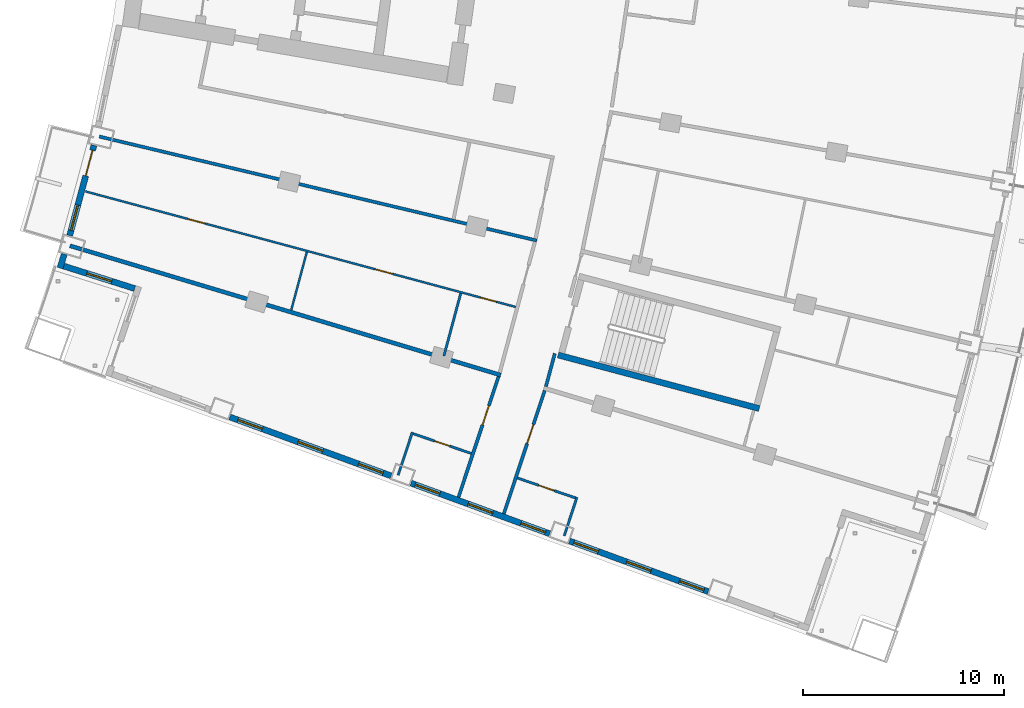
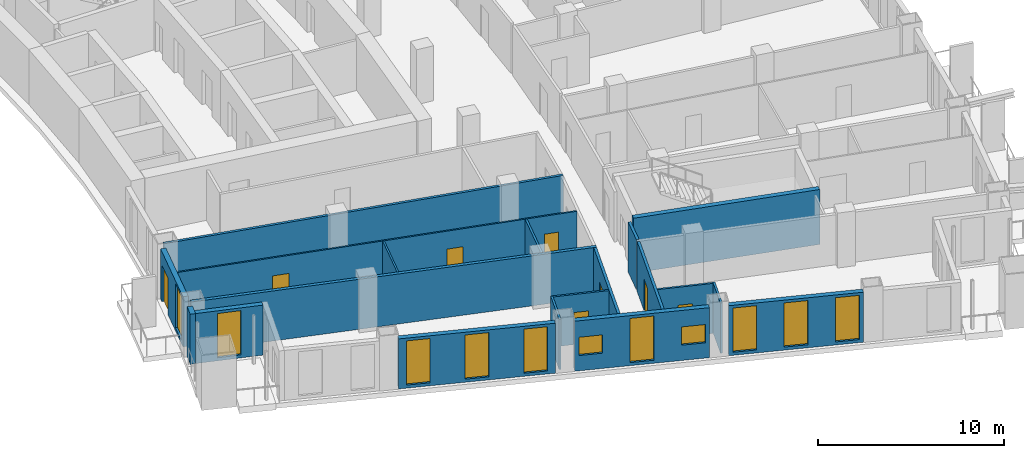
# One storey, part 13 of 25: 19 walls, 11 windows, 8 doors, 19 openings.
"""IFC4 building model written with IfcOpenShell, lengths in metres."""

from ifc_helpers import new_model, si_unit, direction, frame, frame_2d, origin, place, context, subcontext, project, spatial, rectangle, extrude, material, layer, layer_set, type_object, element, fill, save


model = new_model("IFC4")

# Units and contexts
model_context = context("Model", 3, precision=1e-05, world=origin(), true_north=direction((0.0, 1.0)))
body_context = subcontext(model_context, "Body", "Model", "MODEL_VIEW")
ifc_project = project(units=[si_unit("LENGTHUNIT", "METRE"), si_unit("AREAUNIT", "SQUARE_METRE"), si_unit("VOLUMEUNIT", "CUBIC_METRE"), si_unit("PLANEANGLEUNIT", "RADIAN"), si_unit("MASSUNIT", "GRAM", prefix="KILO")], contexts=[model_context])

# Site, building, storey
site_placement = place(None, origin())
site = spatial("IfcSite", under=ifc_project, at=site_placement, CompositionType="ELEMENT")
building_placement = place(site_placement, origin())
building = spatial("IfcBuilding", under=site, at=building_placement, Name="Alderwake Tower", CompositionType="ELEMENT")
storey_placement = place(building_placement, frame((0.0, 0.0, 107.60009765625)))
storey = spatial("IfcBuildingStorey", under=building, at=storey_placement, Name="L26", CompositionType="ELEMENT", Elevation=107.60009765625)

# Walls
ifc_material_1 = material(Name="Concrete C70/85", Category="concrete")
ifc_layer_1 = layer(ifc_material_1, 0.300048828125)
ifc_layer_set_1 = layer_set([ifc_layer_1], Name="Core wall stair enclosure 300 C70-85")
wall_type_1 = type_object("IfcWallType", Name="Core wall stair enclosure 300 C70-85", PredefinedType="SHEAR", material=ifc_layer_set_1)
wall_1_placement = place(storey_placement, frame((36.71142578125, 27.817626953125, 0.0), z_axis=(0.0, 0.0, 1.0), x_axis=(0.966309214305, -0.257383958996, 0.0)))
element("IfcWall", 1, at=wall_1_placement, inside=storey, type_object=wall_type_1, Name="Core wall CW.088", PredefinedType="SHEAR", context=body_context, shape_type="SweptSolid", body=[
    extrude(rectangle(XDim=10.360107421875, YDim=0.300048828125, at=frame_2d((5.18017578125, 0.0))), origin(), (0.0, 0.0, 1.0), 3.599853515625),
])
ifc_material_2 = material(Name="Gypsum board on metal studs, rated")
ifc_layer_2 = layer(ifc_material_2, 0.159912109375)
ifc_layer_set_2 = layer_set([ifc_layer_2], Name="Corridor wall 160")
wall_type_2 = type_object("IfcWallType", Name="Corridor wall 160", PredefinedType="PARTITIONING", material=ifc_layer_set_2)
wall_2_placement = place(storey_placement, frame((13.884033203125, 38.68798828125, 0.0), z_axis=(0.0, 0.0, 1.0), x_axis=(0.972893462073, -0.231253781493, 0.0)))
element("IfcWall", 2, at=wall_2_placement, inside=storey, type_object=wall_type_2, Name="WL/L26/W16", PredefinedType="PARTITIONING", context=body_context, shape_type="SweptSolid", body=[
    extrude(rectangle(XDim=22.38037109375, YDim=0.159912109375, at=frame_2d((11.190185546875, 0.0))), origin(), (0.0, 0.0, 1.0), 3.27978515625),
])

# Wall, opening, door
wall_3_placement = place(storey_placement, frame((31.7548828125, 20.739013671875, 0.0), z_axis=(0.0, 0.0, 1.0), x_axis=(0.31554473692, 0.948910701279, 0.0)))
wall_3 = element("IfcWall", 3, at=wall_3_placement, inside=storey, type_object=wall_type_2, Name="WL/L26/W22", PredefinedType="PARTITIONING", context=body_context, shape_type="SweptSolid", body=[
    extrude(rectangle(XDim=6.327392578125, YDim=0.159912109375, at=frame_2d((3.16357421875, 0.0))), origin(), (0.0, 0.0, 1.0), 3.27978515625),
])
opening_1_placement = place(wall_3_placement, frame((3.799072265625, 0.0, 0.0)))
opening_1 = element("IfcOpeningElement", 4, at=opening_1_placement, cuts=wall_3, Name="Opening R07-U10.1", PredefinedType="OPENING", context=body_context, shape_type="SweptSolid", body=[
    extrude(rectangle(XDim=1.0, YDim=2.10009765625, at=frame_2d((0.5, 1.050048828125))), frame((0.0, 0.08984375, 0.0), z_axis=(0.0, -1.0, 0.0), x_axis=(1.0, 0.0, 0.0)), (0.0, 0.0, 1.0), 0.179931640625),
])
ifc_material_3 = material(Name="Solid timber leaf in steel frame", Category="steel")
door_type_1 = type_object("IfcDoorType", Name="Flat entrance door 1000 fire-rated", OperationType="SINGLE_SWING_LEFT", PredefinedType="DOOR", material=ifc_material_3)
door_1_placement = place(opening_1_placement, origin())
door_1 = element("IfcDoor", 5, at=door_1_placement, inside=storey, type_object=door_type_1, Name="DR/L26/U10.1", OperationType="SINGLE_SWING_LEFT", OverallHeight=2.10009765625, OverallWidth=1.0, PredefinedType="DOOR", context=body_context, shape_type="SweptSolid", body=[
    extrude(rectangle(XDim=1.0, YDim=2.10009765625, at=frame_2d((0.5, 1.050048828125))), frame((0.0, 0.02490234375, 0.0), z_axis=(0.0, -1.0, 0.0), x_axis=(1.0, 0.0, 0.0)), (0.0, 0.0, 1.0), 0.050048828125),
])
fill(opening_1, door_1)

wall_4_placement = place(storey_placement, frame((36.049560546875, 26.052978515625, 0.0), z_axis=(0.0, 0.0, 1.0), x_axis=(-0.315151894598, -0.949041244273, 0.0)))
wall_4 = element("IfcWall", 6, at=wall_4_placement, inside=storey, type_object=wall_type_2, Name="WL/L26/W25", PredefinedType="PARTITIONING", context=body_context, shape_type="SweptSolid", body=[
    extrude(rectangle(XDim=6.468505859375, YDim=0.159912109375, at=frame_2d((3.234375, 0.0))), origin(), (0.0, 0.0, 1.0), 3.27978515625),
])
opening_2_placement = place(wall_4_placement, frame((1.7822265625, 0.0, 0.0)))
opening_2 = element("IfcOpeningElement", 7, at=opening_2_placement, cuts=wall_4, Name="Opening R07-U03.1", PredefinedType="OPENING", context=body_context, shape_type="SweptSolid", body=[
    extrude(rectangle(XDim=1.0, YDim=2.10009765625, at=frame_2d((0.5, 1.050048828125))), frame((0.0, 0.08984375, 0.0), z_axis=(0.0, -1.0, 0.0), x_axis=(1.0, 0.0, 0.0)), (0.0, 0.0, 1.0), 0.179931640625),
])
door_2_placement = place(opening_2_placement, origin())
door_2 = element("IfcDoor", 8, at=door_2_placement, inside=storey, type_object=door_type_1, Name="DR/L26/U03.1", OperationType="SINGLE_SWING_LEFT", OverallHeight=2.10009765625, OverallWidth=1.0, PredefinedType="DOOR", context=body_context, shape_type="SweptSolid", body=[
    extrude(rectangle(XDim=1.0, YDim=2.10009765625, at=frame_2d((0.5, 1.050048828125))), frame((0.0, 0.02490234375, 0.0), z_axis=(0.0, -1.0, 0.0), x_axis=(1.0, 0.0, 0.0)), (0.0, 0.0, 1.0), 0.050048828125),
])
fill(opening_2, door_2)

# Walls
wall_5_placement = place(storey_placement, frame((36.10693359375, 26.24462890625, 0.0), z_axis=(0.0, 0.0, 1.0), x_axis=(0.259346865847, 0.965784242559, 0.0)))
element("IfcWall", 9, at=wall_5_placement, inside=storey, type_object=wall_type_2, Name="WL/L26/W27", PredefinedType="PARTITIONING", context=body_context, shape_type="SweptSolid", body=[
    extrude(rectangle(XDim=1.704833984375, YDim=0.159912109375, at=frame_2d((0.8525390625, 0.0))), origin(), (0.0, 0.0, 1.0), 3.27978515625),
])
ifc_material_4 = material(Name="Precast concrete C50/60 spandrel panel", Category="concrete")
ifc_layer_3 = layer(ifc_material_4, 0.300048828125)
ifc_layer_set_3 = layer_set([ifc_layer_3], Name="External wall EW1 Precast concrete C50/60 spandrel")
wall_type_3 = type_object("IfcWallType", Name="External wall EW1 Precast concrete C50/60 spandrel", PredefinedType="SOLIDWALL", material=ifc_layer_set_3)
wall_6_placement = place(storey_placement, frame((12.14013671875, 32.83837890625, 0.0), z_axis=(0.0, 0.0, 1.0), x_axis=(-0.294604532955, -0.955619259518, 0.0)))
element("IfcWall", 10, at=wall_6_placement, inside=storey, type_object=wall_type_3, Name="External wall 1", PredefinedType="SOLIDWALL", context=body_context, shape_type="SweptSolid", body=[
    extrude(rectangle(XDim=0.7275390625, YDim=0.300048828125, at=frame_2d((0.36376953125, 0.0))), origin(), (0.0, 0.0, 1.0), 3.27978515625),
])

# Wall, openings, door, window
wall_7_placement = place(storey_placement, frame((13.61328125, 38.254150390625, 0.0), z_axis=(0.0, 0.0, 1.0), x_axis=(-0.259468933642, -0.965751454814, 0.0)))
wall_7 = element("IfcWall", 11, at=wall_7_placement, inside=storey, type_object=wall_type_3, Name="External wall 36", PredefinedType="SOLIDWALL", context=body_context, shape_type="SweptSolid", body=[
    extrude(rectangle(XDim=4.65087890625, YDim=0.300048828125, at=frame_2d((2.325439453125, 0.0))), origin(), (0.0, 0.0, 1.0), 3.27978515625),
])
opening_3_placement = place(wall_7_placement, frame((0.26708984375, 0.0, 0.0)))
opening_3 = element("IfcOpeningElement", 12, at=opening_3_placement, cuts=wall_7, Name="Opening D15", PredefinedType="OPENING", context=body_context, shape_type="SweptSolid", body=[
    extrude(rectangle(XDim=1.300048828125, YDim=2.39990234375, at=frame_2d((0.64990234375, 1.199951171875))), frame((0.0, 0.159912109375, 0.0), z_axis=(0.0, -1.0, 0.0), x_axis=(1.0, 0.0, 0.0)), (0.0, 0.0, 1.0), 0.320068359375),
])
opening_4_placement = place(wall_7_placement, frame((3.083984375, 0.0, 0.199951171875)))
opening_4 = element("IfcOpeningElement", 13, at=opening_4_placement, cuts=wall_7, Name="Opening W1", PredefinedType="OPENING", context=body_context, shape_type="SweptSolid", body=[
    extrude(rectangle(XDim=1.300048828125, YDim=2.89990234375, at=frame_2d((0.64990234375, 1.449951171875))), frame((0.0, 0.159912109375, 0.0), z_axis=(0.0, -1.0, 0.0), x_axis=(1.0, 0.0, 0.0)), (0.0, 0.0, 1.0), 0.320068359375),
])
ifc_material_5 = material(Name="Bronze tinted glass in aluminium frame", Category="aluminium")
door_type_2 = type_object("IfcDoorType", Name="Balcony door BD sliding", OperationType="SLIDING_TO_LEFT", PredefinedType="DOOR", material=ifc_material_5)
door_3_placement = place(opening_3_placement, origin())
door_3 = element("IfcDoor", 14, at=door_3_placement, inside=storey, type_object=door_type_2, Name="Door D15", OperationType="SLIDING_TO_LEFT", OverallHeight=2.39990234375, OverallWidth=1.300048828125, PredefinedType="DOOR", context=body_context, shape_type="SweptSolid", body=[
    extrude(rectangle(XDim=1.300048828125, YDim=2.39990234375, at=frame_2d((0.64990234375, 1.199951171875))), frame((0.0, 0.02490234375, 0.0), z_axis=(0.0, -1.0, 0.0), x_axis=(1.0, 0.0, 0.0)), (0.0, 0.0, 1.0), 0.050048828125),
])
fill(opening_3, door_3)
ifc_material_6 = material(Name="Bronze tinted glass in aluminium frame", Category="aluminium")
window_type_1 = type_object("IfcWindowType", Name="Window W1 tall fixed and vent", PartitioningType="DOUBLE_PANEL_VERTICAL", PredefinedType="WINDOW", material=ifc_material_6)
window_1_placement = place(opening_4_placement, origin())
window_1 = element("IfcWindow", 15, at=window_1_placement, inside=storey, type_object=window_type_1, Name="Window W1 tall fixed and vent", OverallHeight=2.89990234375, OverallWidth=1.300048828125, PartitioningType="DOUBLE_PANEL_VERTICAL", PredefinedType="WINDOW", context=body_context, shape_type="SweptSolid", body=[
    extrude(rectangle(XDim=1.300048828125, YDim=2.89990234375, at=frame_2d((0.64990234375, 1.449951171875))), frame((0.0, 0.030029296875, 0.0), z_axis=(0.0, -1.0, 0.0), x_axis=(1.0, 0.0, 0.0)), (0.0, 0.0, 1.0), 0.06005859375),
])
fill(opening_4, window_1)

# Wall, opening, window
ifc_material_7 = material(Name="Bronze metal cladding on lightweight framing")
ifc_layer_4 = layer(ifc_material_7, 0.300048828125)
ifc_layer_set_4 = layer_set([ifc_layer_4], Name="External wall EW2 bronze metal cladding")
wall_type_4 = type_object("IfcWallType", Name="External wall EW2 bronze metal cladding", PredefinedType="SOLIDWALL", material=ifc_layer_set_4)
wall_8_placement = place(storey_placement, frame((12.113037109375, 32.2412109375, 0.0), z_axis=(0.0, 0.0, 1.0), x_axis=(0.953458128271, -0.301525451054, 0.0)))
wall_8 = element("IfcWall", 16, at=wall_8_placement, inside=storey, type_object=wall_type_4, Name="External wall 2", PredefinedType="SOLIDWALL", context=body_context, shape_type="SweptSolid", body=[
    extrude(rectangle(XDim=3.705810546875, YDim=0.300048828125, at=frame_2d((1.85302734375, 0.0))), origin(), (0.0, 0.0, 1.0), 3.27978515625),
])
opening_5_placement = place(wall_8_placement, frame((1.202880859375, 0.0, 0.199951171875)))
opening_5 = element("IfcOpeningElement", 17, at=opening_5_placement, cuts=wall_8, Name="Opening W1", PredefinedType="OPENING", context=body_context, shape_type="SweptSolid", body=[
    extrude(rectangle(XDim=1.300048828125, YDim=2.89990234375, at=frame_2d((0.64990234375, 1.449951171875))), frame((0.0, 0.159912109375, 0.0), z_axis=(0.0, -1.0, 0.0), x_axis=(1.0, 0.0, 0.0)), (0.0, 0.0, 1.0), 0.320068359375),
])
window_2_placement = place(opening_5_placement, origin())
window_2 = element("IfcWindow", 18, at=window_2_placement, inside=storey, type_object=window_type_1, Name="Window W1 tall fixed and vent", OverallHeight=2.89990234375, OverallWidth=1.300048828125, PartitioningType="DOUBLE_PANEL_VERTICAL", PredefinedType="WINDOW", context=body_context, shape_type="SweptSolid", body=[
    extrude(rectangle(XDim=1.300048828125, YDim=2.89990234375, at=frame_2d((0.64990234375, 1.449951171875))), frame((0.0, 0.030029296875, 0.0), z_axis=(0.0, -1.0, 0.0), x_axis=(1.0, 0.0, 0.0)), (0.0, 0.0, 1.0), 0.06005859375),
])
fill(opening_5, window_2)

# Wall, openings, windows
wall_9_placement = place(storey_placement, frame((20.375244140625, 24.73291015625, 0.0), z_axis=(0.0, 0.0, 1.0), x_axis=(0.939364770023, -0.342919566137, 0.0)))
wall_9 = element("IfcWall", 19, at=wall_9_placement, inside=storey, type_object=wall_type_4, Name="External wall 5", PredefinedType="SOLIDWALL", context=body_context, shape_type="SweptSolid", body=[
    extrude(rectangle(XDim=8.54541015625, YDim=0.300048828125, at=frame_2d((4.272705078125, 0.0))), origin(), (0.0, 0.0, 1.0), 3.27978515625),
])
opening_6_placement = place(wall_9_placement, frame((0.422607421875, 0.0, 0.199951171875)))
opening_6 = element("IfcOpeningElement", 20, at=opening_6_placement, cuts=wall_9, Name="Opening W1", PredefinedType="OPENING", context=body_context, shape_type="SweptSolid", body=[
    extrude(rectangle(XDim=1.300048828125, YDim=2.89990234375, at=frame_2d((0.64990234375, 1.449951171875))), frame((0.0, 0.159912109375, 0.0), z_axis=(0.0, -1.0, 0.0), x_axis=(1.0, 0.0, 0.0)), (0.0, 0.0, 1.0), 0.320068359375),
])
opening_7_placement = place(wall_9_placement, frame((3.622802734375, 0.0, 0.199951171875)))
opening_7 = element("IfcOpeningElement", 21, at=opening_7_placement, cuts=wall_9, Name="Opening W1", PredefinedType="OPENING", context=body_context, shape_type="SweptSolid", body=[
    extrude(rectangle(XDim=1.300048828125, YDim=2.89990234375, at=frame_2d((0.64990234375, 1.449951171875))), frame((0.0, 0.159912109375, 0.0), z_axis=(0.0, -1.0, 0.0), x_axis=(1.0, 0.0, 0.0)), (0.0, 0.0, 1.0), 0.320068359375),
])
opening_8_placement = place(wall_9_placement, frame((6.82275390625, 0.0, 0.199951171875)))
opening_8 = element("IfcOpeningElement", 22, at=opening_8_placement, cuts=wall_9, Name="Opening W1", PredefinedType="OPENING", context=body_context, shape_type="SweptSolid", body=[
    extrude(rectangle(XDim=1.300048828125, YDim=2.89990234375, at=frame_2d((0.64990234375, 1.449951171875))), frame((0.0, 0.159912109375, 0.0), z_axis=(0.0, -1.0, 0.0), x_axis=(1.0, 0.0, 0.0)), (0.0, 0.0, 1.0), 0.320068359375),
])
window_3_placement = place(opening_6_placement, origin())
window_3 = element("IfcWindow", 23, at=window_3_placement, inside=storey, type_object=window_type_1, Name="Window W1 tall fixed and vent", OverallHeight=2.89990234375, OverallWidth=1.300048828125, PartitioningType="DOUBLE_PANEL_VERTICAL", PredefinedType="WINDOW", context=body_context, shape_type="SweptSolid", body=[
    extrude(rectangle(XDim=1.300048828125, YDim=2.89990234375, at=frame_2d((0.64990234375, 1.449951171875))), frame((0.0, 0.030029296875, 0.0), z_axis=(0.0, -1.0, 0.0), x_axis=(1.0, 0.0, 0.0)), (0.0, 0.0, 1.0), 0.06005859375),
])
fill(opening_6, window_3)
window_4_placement = place(opening_7_placement, origin())
window_4 = element("IfcWindow", 24, at=window_4_placement, inside=storey, type_object=window_type_1, Name="Window W1 tall fixed and vent", OverallHeight=2.89990234375, OverallWidth=1.300048828125, PartitioningType="DOUBLE_PANEL_VERTICAL", PredefinedType="WINDOW", context=body_context, shape_type="SweptSolid", body=[
    extrude(rectangle(XDim=1.300048828125, YDim=2.89990234375, at=frame_2d((0.64990234375, 1.449951171875))), frame((0.0, 0.030029296875, 0.0), z_axis=(0.0, -1.0, 0.0), x_axis=(1.0, 0.0, 0.0)), (0.0, 0.0, 1.0), 0.06005859375),
])
fill(opening_7, window_4)
window_5_placement = place(opening_8_placement, origin())
window_5 = element("IfcWindow", 25, at=window_5_placement, inside=storey, type_object=window_type_1, Name="Window W1 tall fixed and vent", OverallHeight=2.89990234375, OverallWidth=1.300048828125, PartitioningType="DOUBLE_PANEL_VERTICAL", PredefinedType="WINDOW", context=body_context, shape_type="SweptSolid", body=[
    extrude(rectangle(XDim=1.300048828125, YDim=2.89990234375, at=frame_2d((0.64990234375, 1.449951171875))), frame((0.0, 0.030029296875, 0.0), z_axis=(0.0, -1.0, 0.0), x_axis=(1.0, 0.0, 0.0)), (0.0, 0.0, 1.0), 0.06005859375),
])
fill(opening_8, window_5)

wall_10_placement = place(storey_placement, frame((29.39306640625, 21.44091796875, 0.0), z_axis=(0.0, 0.0, 1.0), x_axis=(0.939378390818, -0.342882252187, 0.0)))
wall_10 = element("IfcWall", 26, at=wall_10_placement, inside=storey, type_object=wall_type_4, Name="External wall 6", PredefinedType="SOLIDWALL", context=body_context, shape_type="SweptSolid", body=[
    extrude(rectangle(XDim=7.345947265625, YDim=0.300048828125, at=frame_2d((3.6728515625, 0.0))), origin(), (0.0, 0.0, 1.0), 3.27978515625),
])
opening_9_placement = place(wall_10_placement, frame((0.222900390625, 0.0, 1.0)))
opening_9 = element("IfcOpeningElement", 27, at=opening_9_placement, cuts=wall_10, Name="Opening W2", PredefinedType="OPENING", context=body_context, shape_type="SweptSolid", body=[
    extrude(rectangle(XDim=1.300048828125, YDim=1.199951171875, at=frame_2d((0.64990234375, 0.60009765625))), frame((0.0, 0.159912109375, 0.0), z_axis=(0.0, -1.0, 0.0), x_axis=(1.0, 0.0, 0.0)), (0.0, 0.0, 1.0), 0.320068359375),
])
opening_10_placement = place(wall_10_placement, frame((3.02294921875, 0.0, 0.199951171875)))
opening_10 = element("IfcOpeningElement", 28, at=opening_10_placement, cuts=wall_10, Name="Opening W1", PredefinedType="OPENING", context=body_context, shape_type="SweptSolid", body=[
    extrude(rectangle(XDim=1.300048828125, YDim=2.89990234375, at=frame_2d((0.64990234375, 1.449951171875))), frame((0.0, 0.159912109375, 0.0), z_axis=(0.0, -1.0, 0.0), x_axis=(1.0, 0.0, 0.0)), (0.0, 0.0, 1.0), 0.320068359375),
])
opening_11_placement = place(wall_10_placement, frame((5.822998046875, 0.0, 1.0)))
opening_11 = element("IfcOpeningElement", 29, at=opening_11_placement, cuts=wall_10, Name="Opening W2", PredefinedType="OPENING", context=body_context, shape_type="SweptSolid", body=[
    extrude(rectangle(XDim=1.300048828125, YDim=1.199951171875, at=frame_2d((0.64990234375, 0.60009765625))), frame((0.0, 0.159912109375, 0.0), z_axis=(0.0, -1.0, 0.0), x_axis=(1.0, 0.0, 0.0)), (0.0, 0.0, 1.0), 0.320068359375),
])
window_6_placement = place(opening_10_placement, origin())
window_6 = element("IfcWindow", 30, at=window_6_placement, inside=storey, type_object=window_type_1, Name="Window W1 tall fixed and vent", OverallHeight=2.89990234375, OverallWidth=1.300048828125, PartitioningType="DOUBLE_PANEL_VERTICAL", PredefinedType="WINDOW", context=body_context, shape_type="SweptSolid", body=[
    extrude(rectangle(XDim=1.300048828125, YDim=2.89990234375, at=frame_2d((0.64990234375, 1.449951171875))), frame((0.0, 0.030029296875, 0.0), z_axis=(0.0, -1.0, 0.0), x_axis=(1.0, 0.0, 0.0)), (0.0, 0.0, 1.0), 0.06005859375),
])
fill(opening_10, window_6)
ifc_material_8 = material(Name="Bronze tinted glass in aluminium frame", Category="aluminium")
window_type_2 = type_object("IfcWindowType", Name="Window W2 kitchen and bath", PartitioningType="SINGLE_PANEL", PredefinedType="WINDOW", material=ifc_material_8)
window_7_placement = place(opening_9_placement, origin())
window_7 = element("IfcWindow", 31, at=window_7_placement, inside=storey, type_object=window_type_2, Name="Window W2 kitchen and bath", OverallHeight=1.199951171875, OverallWidth=1.300048828125, PartitioningType="SINGLE_PANEL", PredefinedType="WINDOW", context=body_context, shape_type="SweptSolid", body=[
    extrude(rectangle(XDim=1.300048828125, YDim=1.199951171875, at=frame_2d((0.64990234375, 0.60009765625))), frame((0.0, 0.030029296875, 0.0), z_axis=(0.0, -1.0, 0.0), x_axis=(1.0, 0.0, 0.0)), (0.0, 0.0, 1.0), 0.06005859375),
])
fill(opening_9, window_7)
window_8_placement = place(opening_11_placement, origin())
window_8 = element("IfcWindow", 32, at=window_8_placement, inside=storey, type_object=window_type_2, Name="Window W2 kitchen and bath", OverallHeight=1.199951171875, OverallWidth=1.300048828125, PartitioningType="SINGLE_PANEL", PredefinedType="WINDOW", context=body_context, shape_type="SweptSolid", body=[
    extrude(rectangle(XDim=1.300048828125, YDim=1.199951171875, at=frame_2d((0.64990234375, 0.60009765625))), frame((0.0, 0.030029296875, 0.0), z_axis=(0.0, -1.0, 0.0), x_axis=(1.0, 0.0, 0.0)), (0.0, 0.0, 1.0), 0.06005859375),
])
fill(opening_11, window_8)

wall_11_placement = place(storey_placement, frame((37.283935546875, 18.560546875, 0.0), z_axis=(0.0, 0.0, 1.0), x_axis=(0.939378390818, -0.342882252187, 0.0)))
wall_11 = element("IfcWall", 33, at=wall_11_placement, inside=storey, type_object=wall_type_4, Name="External wall 7", PredefinedType="SOLIDWALL", context=body_context, shape_type="SweptSolid", body=[
    extrude(rectangle(XDim=7.345947265625, YDim=0.300048828125, at=frame_2d((3.6728515625, 0.0))), origin(), (0.0, 0.0, 1.0), 3.27978515625),
])
opening_12_placement = place(wall_11_placement, frame((0.222900390625, 0.0, 0.199951171875)))
opening_12 = element("IfcOpeningElement", 34, at=opening_12_placement, cuts=wall_11, Name="Opening W1", PredefinedType="OPENING", context=body_context, shape_type="SweptSolid", body=[
    extrude(rectangle(XDim=1.300048828125, YDim=2.89990234375, at=frame_2d((0.64990234375, 1.449951171875))), frame((0.0, 0.159912109375, 0.0), z_axis=(0.0, -1.0, 0.0), x_axis=(1.0, 0.0, 0.0)), (0.0, 0.0, 1.0), 0.320068359375),
])
opening_13_placement = place(wall_11_placement, frame((3.02294921875, 0.0, 0.199951171875)))
opening_13 = element("IfcOpeningElement", 35, at=opening_13_placement, cuts=wall_11, Name="Opening W1", PredefinedType="OPENING", context=body_context, shape_type="SweptSolid", body=[
    extrude(rectangle(XDim=1.300048828125, YDim=2.89990234375, at=frame_2d((0.64990234375, 1.449951171875))), frame((0.0, 0.159912109375, 0.0), z_axis=(0.0, -1.0, 0.0), x_axis=(1.0, 0.0, 0.0)), (0.0, 0.0, 1.0), 0.320068359375),
])
opening_14_placement = place(wall_11_placement, frame((5.822998046875, 0.0, 0.199951171875)))
opening_14 = element("IfcOpeningElement", 36, at=opening_14_placement, cuts=wall_11, Name="Opening W1", PredefinedType="OPENING", context=body_context, shape_type="SweptSolid", body=[
    extrude(rectangle(XDim=1.300048828125, YDim=2.89990234375, at=frame_2d((0.64990234375, 1.449951171875))), frame((0.0, 0.159912109375, 0.0), z_axis=(0.0, -1.0, 0.0), x_axis=(1.0, 0.0, 0.0)), (0.0, 0.0, 1.0), 0.320068359375),
])
window_9_placement = place(opening_12_placement, origin())
window_9 = element("IfcWindow", 37, at=window_9_placement, inside=storey, type_object=window_type_1, Name="Window W1 tall fixed and vent", OverallHeight=2.89990234375, OverallWidth=1.300048828125, PartitioningType="DOUBLE_PANEL_VERTICAL", PredefinedType="WINDOW", context=body_context, shape_type="SweptSolid", body=[
    extrude(rectangle(XDim=1.300048828125, YDim=2.89990234375, at=frame_2d((0.64990234375, 1.449951171875))), frame((0.0, 0.030029296875, 0.0), z_axis=(0.0, -1.0, 0.0), x_axis=(1.0, 0.0, 0.0)), (0.0, 0.0, 1.0), 0.06005859375),
])
fill(opening_12, window_9)
window_10_placement = place(opening_13_placement, origin())
window_10 = element("IfcWindow", 38, at=window_10_placement, inside=storey, type_object=window_type_1, Name="Window W1 tall fixed and vent", OverallHeight=2.89990234375, OverallWidth=1.300048828125, PartitioningType="DOUBLE_PANEL_VERTICAL", PredefinedType="WINDOW", context=body_context, shape_type="SweptSolid", body=[
    extrude(rectangle(XDim=1.300048828125, YDim=2.89990234375, at=frame_2d((0.64990234375, 1.449951171875))), frame((0.0, 0.030029296875, 0.0), z_axis=(0.0, -1.0, 0.0), x_axis=(1.0, 0.0, 0.0)), (0.0, 0.0, 1.0), 0.06005859375),
])
fill(opening_13, window_10)
window_11_placement = place(opening_14_placement, origin())
window_11 = element("IfcWindow", 39, at=window_11_placement, inside=storey, type_object=window_type_1, Name="Window W1 tall fixed and vent", OverallHeight=2.89990234375, OverallWidth=1.300048828125, PartitioningType="DOUBLE_PANEL_VERTICAL", PredefinedType="WINDOW", context=body_context, shape_type="SweptSolid", body=[
    extrude(rectangle(XDim=1.300048828125, YDim=2.89990234375, at=frame_2d((0.64990234375, 1.449951171875))), frame((0.0, 0.030029296875, 0.0), z_axis=(0.0, -1.0, 0.0), x_axis=(1.0, 0.0, 0.0)), (0.0, 0.0, 1.0), 0.06005859375),
])
fill(opening_14, window_11)

# Wall
ifc_material_9 = material(Name="Dense block masonry wall", Category="masonry")
ifc_layer_5 = layer(ifc_material_9, 0.199951171875)
ifc_layer_set_5 = layer_set([ifc_layer_5], Name="Party wall 200")
wall_type_5 = type_object("IfcWallType", Name="Party wall 200", PredefinedType="SOLIDWALL", material=ifc_layer_set_5)
wall_12_placement = place(storey_placement, frame((33.859619140625, 26.81494140625, 0.0), z_axis=(0.0, 0.0, 1.0), x_axis=(-0.95775179957, 0.287596054251, 0.0)))
element("IfcWall", 40, at=wall_12_placement, inside=storey, type_object=wall_type_5, Name="WL/L26/W03", PredefinedType="SOLIDWALL", context=body_context, shape_type="SweptSolid", body=[
    extrude(rectangle(XDim=22.382080078125, YDim=0.199951171875, at=frame_2d((11.19091796875, 0.0))), origin(), (0.0, 0.0, 1.0), 3.27978515625),
])

# Wall, openings, doors
ifc_material_10 = material(Name="Gypsum board on metal studs")
ifc_layer_6 = layer(ifc_material_10, 0.10009765625)
ifc_layer_set_6 = layer_set([ifc_layer_6], Name="Unit partition 100")
wall_type_6 = type_object("IfcWallType", Name="Unit partition 100", PredefinedType="PARTITIONING", material=ifc_layer_set_6)
wall_13_placement = place(storey_placement, frame((34.605712890625, 30.206787109375, 0.0), z_axis=(0.0, 0.0, 1.0), x_axis=(-0.965767846078, 0.259407917152, 0.0)))
wall_13 = element("IfcWall", 41, at=wall_13_placement, inside=storey, type_object=wall_type_6, Name="WL/L26/W67", PredefinedType="PARTITIONING", context=body_context, shape_type="SweptSolid", body=[
    extrude(rectangle(XDim=22.170654296875, YDim=0.10009765625, at=frame_2d((11.08544921875, 0.0))), origin(), (0.0, 0.0, 1.0), 3.27978515625),
])
opening_15_placement = place(wall_13_placement, frame((6.335205078125, 0.0, 0.0)))
opening_15 = element("IfcOpeningElement", 42, at=opening_15_placement, cuts=wall_13, Name="Opening R07-U11.1", PredefinedType="OPENING", context=body_context, shape_type="SweptSolid", body=[
    extrude(rectangle(XDim=0.89990234375, YDim=2.10009765625, at=frame_2d((0.449951171875, 1.050048828125))), frame((0.0, 0.06005859375, 0.0), z_axis=(0.0, -1.0, 0.0), x_axis=(1.0, 0.0, 0.0)), (0.0, 0.0, 1.0), 0.1201171875),
])
opening_16_placement = place(wall_13_placement, frame((1.010009765625, 0.0, 0.0)))
opening_16 = element("IfcOpeningElement", 43, at=opening_16_placement, cuts=wall_13, Name="Opening R07-U11.3", PredefinedType="OPENING", context=body_context, shape_type="SweptSolid", body=[
    extrude(rectangle(XDim=0.800048828125, YDim=2.10009765625, at=frame_2d((0.39990234375, 1.050048828125))), frame((0.0, 0.06005859375, 0.0), z_axis=(0.0, -1.0, 0.0), x_axis=(1.0, 0.0, 0.0)), (0.0, 0.0, 1.0), 0.1201171875),
])
opening_17_placement = place(wall_13_placement, frame((16.010498046875, 0.0, 0.0)))
opening_17 = element("IfcOpeningElement", 44, at=opening_17_placement, cuts=wall_13, Name="Opening R07-U11.4", PredefinedType="OPENING", context=body_context, shape_type="SweptSolid", body=[
    extrude(rectangle(XDim=0.89990234375, YDim=2.10009765625, at=frame_2d((0.449951171875, 1.050048828125))), frame((0.0, 0.06005859375, 0.0), z_axis=(0.0, -1.0, 0.0), x_axis=(1.0, 0.0, 0.0)), (0.0, 0.0, 1.0), 0.1201171875),
])
ifc_material_11 = material(Name="Painted timber leaf", Category="wood")
door_type_3 = type_object("IfcDoorType", Name="Bathroom door 800", OperationType="SINGLE_SWING_LEFT", PredefinedType="DOOR", material=ifc_material_11)
door_4_placement = place(opening_16_placement, origin())
door_4 = element("IfcDoor", 45, at=door_4_placement, inside=storey, type_object=door_type_3, Name="DR/L26/U11.3", OperationType="SINGLE_SWING_LEFT", OverallHeight=2.10009765625, OverallWidth=0.800048828125, PredefinedType="DOOR", context=body_context, shape_type="SweptSolid", body=[
    extrude(rectangle(XDim=0.800048828125, YDim=2.10009765625, at=frame_2d((0.39990234375, 1.050048828125))), frame((0.0, 0.02490234375, 0.0), z_axis=(0.0, -1.0, 0.0), x_axis=(1.0, 0.0, 0.0)), (0.0, 0.0, 1.0), 0.050048828125),
])
fill(opening_16, door_4)
ifc_material_12 = material(Name="Painted timber leaf", Category="wood")
door_type_4 = type_object("IfcDoorType", Name="Room door 900", OperationType="SINGLE_SWING_LEFT", PredefinedType="DOOR", material=ifc_material_12)
door_5_placement = place(opening_15_placement, origin())
door_5 = element("IfcDoor", 46, at=door_5_placement, inside=storey, type_object=door_type_4, Name="DR/L26/U11.1", OperationType="SINGLE_SWING_LEFT", OverallHeight=2.10009765625, OverallWidth=0.89990234375, PredefinedType="DOOR", context=body_context, shape_type="SweptSolid", body=[
    extrude(rectangle(XDim=0.89990234375, YDim=2.10009765625, at=frame_2d((0.449951171875, 1.050048828125))), frame((0.0, 0.02490234375, 0.0), z_axis=(0.0, -1.0, 0.0), x_axis=(1.0, 0.0, 0.0)), (0.0, 0.0, 1.0), 0.050048828125),
])
fill(opening_15, door_5)
door_6_placement = place(opening_17_placement, origin())
door_6 = element("IfcDoor", 47, at=door_6_placement, inside=storey, type_object=door_type_4, Name="DR/L26/U11.4", OperationType="SINGLE_SWING_LEFT", OverallHeight=2.10009765625, OverallWidth=0.89990234375, PredefinedType="DOOR", context=body_context, shape_type="SweptSolid", body=[
    extrude(rectangle(XDim=0.89990234375, YDim=2.10009765625, at=frame_2d((0.449951171875, 1.050048828125))), frame((0.0, 0.02490234375, 0.0), z_axis=(0.0, -1.0, 0.0), x_axis=(1.0, 0.0, 0.0)), (0.0, 0.0, 1.0), 0.050048828125),
])
fill(opening_17, door_6)

# Walls
wall_14_placement = place(storey_placement, frame((24.208984375, 32.94580078125, 0.0), z_axis=(0.0, 0.0, 1.0), x_axis=(-0.259310212645, -0.965794084481, 0.0)))
element("IfcWall", 48, at=wall_14_placement, inside=storey, type_object=wall_type_6, Name="WL/L26/W70", PredefinedType="PARTITIONING", context=body_context, shape_type="SweptSolid", body=[
    extrude(rectangle(XDim=2.996826171875, YDim=0.10009765625, at=frame_2d((1.49853515625, 0.0))), origin(), (0.0, 0.0, 1.0), 3.27978515625),
])
ifc_material_13 = material(Name="Moisture resistant gypsum board on metal studs")
ifc_layer_7 = layer(ifc_material_13, 0.1201171875)
ifc_layer_set_7 = layer_set([ifc_layer_7], Name="Wet room partition 120")
wall_type_7 = type_object("IfcWallType", Name="Wet room partition 120", PredefinedType="PARTITIONING", material=ifc_layer_set_7)
wall_15_placement = place(storey_placement, frame((29.4609375, 23.975830078125, 0.0), z_axis=(0.0, 0.0, 1.0), x_axis=(-0.31580536125, -0.948823995168, 0.0)))
element("IfcWall", 49, at=wall_15_placement, inside=storey, type_object=wall_type_7, Name="WL/L26/W45", PredefinedType="PARTITIONING", context=body_context, shape_type="SweptSolid", body=[
    extrude(rectangle(XDim=2.25439453125, YDim=0.1201171875, at=frame_2d((1.127197265625, 0.0))), origin(), (0.0, 0.0, 1.0), 3.27978515625),
])
wall_16_placement = place(storey_placement, frame((31.867919921875, 30.8876953125, 0.0), z_axis=(0.0, 0.0, 1.0), x_axis=(-0.259149206489, -0.96583729933, 0.0)))
element("IfcWall", 50, at=wall_16_placement, inside=storey, type_object=wall_type_7, Name="WL/L26/W48", PredefinedType="PARTITIONING", context=body_context, shape_type="SweptSolid", body=[
    extrude(rectangle(XDim=3.2294921875, YDim=0.1201171875, at=frame_2d((1.61474609375, 0.0))), origin(), (0.0, 0.0, 1.0), 3.27978515625),
])

# Wall, opening, door
wall_17_placement = place(storey_placement, frame((32.396240234375, 22.918701171875, 0.0), z_axis=(0.0, 0.0, 1.0), x_axis=(-0.947164130145, 0.320749295505, 0.0)))
wall_17 = element("IfcWall", 51, at=wall_17_placement, inside=storey, type_object=wall_type_7, Name="WL/L26/W49", PredefinedType="PARTITIONING", context=body_context, shape_type="SweptSolid", body=[
    extrude(rectangle(XDim=3.05908203125, YDim=0.1201171875, at=frame_2d((1.529541015625, 0.0))), origin(), (0.0, 0.0, 1.0), 3.27978515625),
])
opening_18_placement = place(wall_17_placement, frame((1.12939453125, 0.0, 0.0)))
opening_18 = element("IfcOpeningElement", 52, at=opening_18_placement, cuts=wall_17, Name="Opening R07-U10.2", PredefinedType="OPENING", context=body_context, shape_type="SweptSolid", body=[
    extrude(rectangle(XDim=0.800048828125, YDim=2.10009765625, at=frame_2d((0.39990234375, 1.050048828125))), frame((0.0, 0.070068359375, 0.0), z_axis=(0.0, -1.0, 0.0), x_axis=(1.0, 0.0, 0.0)), (0.0, 0.0, 1.0), 0.14013671875),
])
door_7_placement = place(opening_18_placement, origin())
door_7 = element("IfcDoor", 53, at=door_7_placement, inside=storey, type_object=door_type_3, Name="DR/L26/U10.2", OperationType="SINGLE_SWING_LEFT", OverallHeight=2.10009765625, OverallWidth=0.800048828125, PredefinedType="DOOR", context=body_context, shape_type="SweptSolid", body=[
    extrude(rectangle(XDim=0.800048828125, YDim=2.10009765625, at=frame_2d((0.39990234375, 1.050048828125))), frame((0.0, 0.02490234375, 0.0), z_axis=(0.0, -1.0, 0.0), x_axis=(1.0, 0.0, 0.0)), (0.0, 0.0, 1.0), 0.050048828125),
])
fill(opening_18, door_7)

# Wall
wall_18_placement = place(storey_placement, frame((37.01708984375, 18.819091796875, 0.0), z_axis=(0.0, 0.0, 1.0), x_axis=(0.314346849319, 0.949308199861, 0.0)))
element("IfcWall", 54, at=wall_18_placement, inside=storey, type_object=wall_type_7, Name="WL/L26/W51", PredefinedType="PARTITIONING", context=body_context, shape_type="SweptSolid", body=[
    extrude(rectangle(XDim=2.025634765625, YDim=0.1201171875, at=frame_2d((1.0126953125, 0.0))), origin(), (0.0, 0.0, 1.0), 3.27978515625),
])

# Wall, opening, door
wall_19_placement = place(storey_placement, frame((37.578125, 20.70458984375, 0.0), z_axis=(0.0, 0.0, 1.0), x_axis=(-0.945834581723, 0.324648955054, 0.0)))
wall_19 = element("IfcWall", 55, at=wall_19_placement, inside=storey, type_object=wall_type_7, Name="WL/L26/W52", PredefinedType="PARTITIONING", context=body_context, shape_type="SweptSolid", body=[
    extrude(rectangle(XDim=3.056884765625, YDim=0.1201171875, at=frame_2d((1.5283203125, 0.0))), origin(), (0.0, 0.0, 1.0), 3.27978515625),
])
opening_19_placement = place(wall_19_placement, frame((1.128662109375, 0.0, 0.0)))
opening_19 = element("IfcOpeningElement", 56, at=opening_19_placement, cuts=wall_19, Name="Opening R07-U03.2", PredefinedType="OPENING", context=body_context, shape_type="SweptSolid", body=[
    extrude(rectangle(XDim=0.800048828125, YDim=2.10009765625, at=frame_2d((0.39990234375, 1.050048828125))), frame((0.0, 0.070068359375, 0.0), z_axis=(0.0, -1.0, 0.0), x_axis=(1.0, 0.0, 0.0)), (0.0, 0.0, 1.0), 0.14013671875),
])
door_8_placement = place(opening_19_placement, origin())
door_8 = element("IfcDoor", 57, at=door_8_placement, inside=storey, type_object=door_type_3, Name="DR/L26/U03.2", OperationType="SINGLE_SWING_LEFT", OverallHeight=2.10009765625, OverallWidth=0.800048828125, PredefinedType="DOOR", context=body_context, shape_type="SweptSolid", body=[
    extrude(rectangle(XDim=0.800048828125, YDim=2.10009765625, at=frame_2d((0.39990234375, 1.050048828125))), frame((0.0, 0.02490234375, 0.0), z_axis=(0.0, -1.0, 0.0), x_axis=(1.0, 0.0, 0.0)), (0.0, 0.0, 1.0), 0.050048828125),
])
fill(opening_19, door_8)

save(model, "model.ifc")
